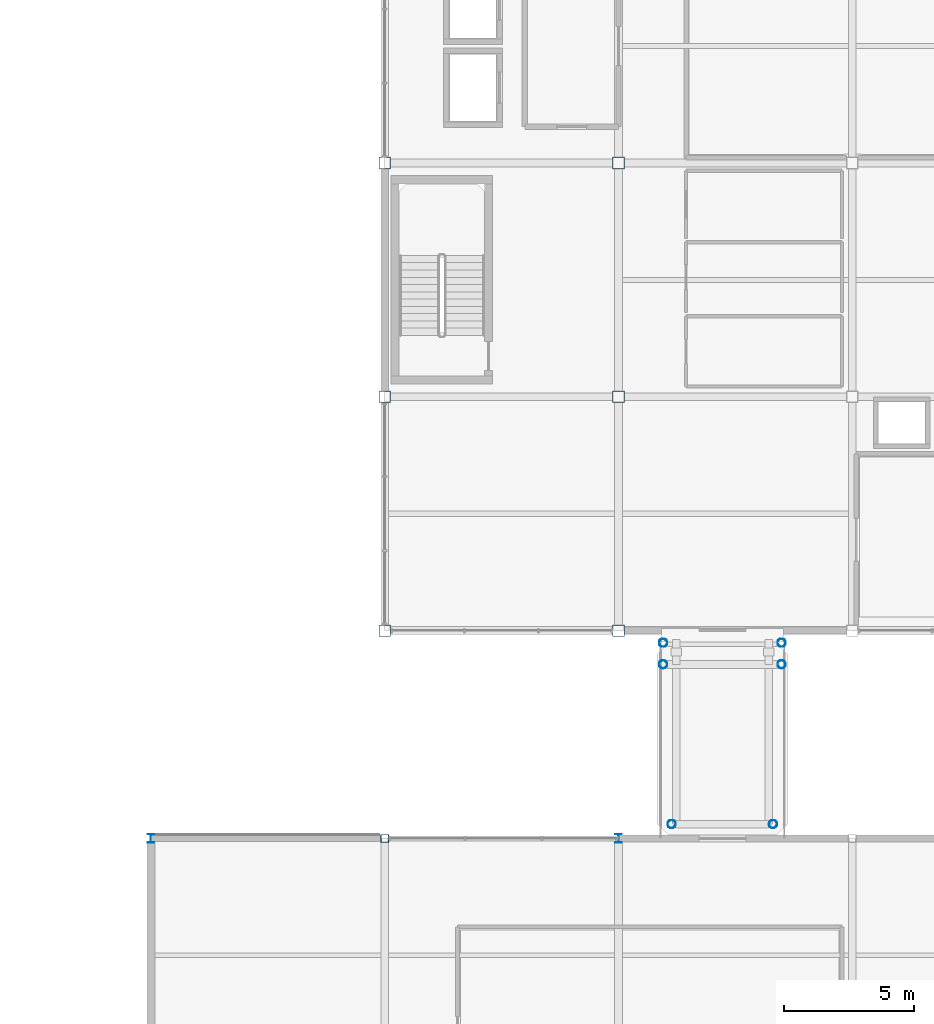
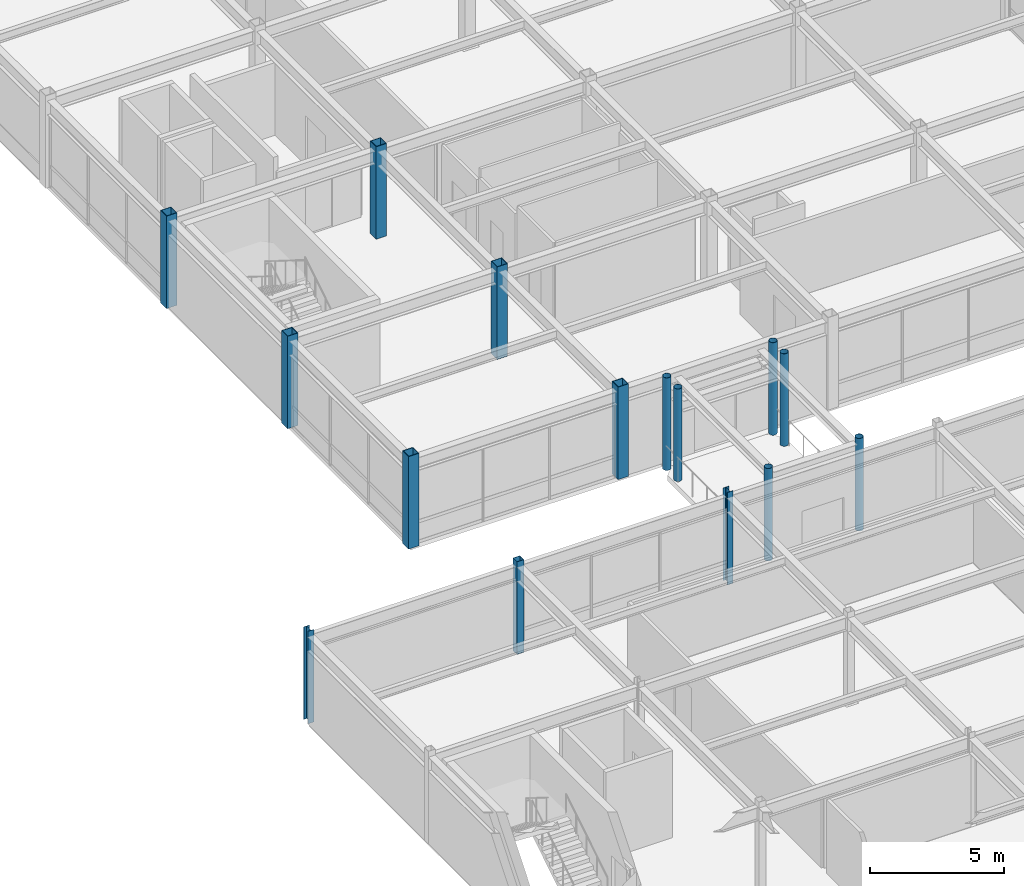
# One storey, part 19 of 108: 15 columns.
"""IFC4 building model written with IfcOpenShell, lengths in metres."""

import ifcopenshell
import ifcopenshell.guid

model = None  # the IFC model being written
_history = None  # IfcOwnerHistory: only IFC2X3 demands one
_inside = {}  # id of a spatial element -> (the spatial element, [elements in it])
_under = {}  # id of a project, library or spatial element -> (it, [spatial elements below it])
_declared = {}  # id of a project -> (the project, [libraries it declares])
_typed = {}  # id of a type object -> (the type object, [elements of that type])
_made_of = {}  # id of a material, layer set ... -> (it, [elements and type objects made of it])


def new_model(schema):
    """Start an empty IFC model of exactly this schema.

    Asked for "IFC4X3", IfcOpenShell would pick the latest addendum, in which some entities
    have other attributes; the version numbers below select the first issue.
    IFC2X3 requires an IfcOwnerHistory on every rooted entity: one is made here for all.
    """
    global model, _history
    if schema == "IFC4X3":
        model = ifcopenshell.file(schema_version=(4, 3, 0, 0))
    else:
        model = ifcopenshell.file(schema=schema)
    _inside.clear()
    _under.clear()
    _declared.clear()
    _typed.clear()
    _made_of.clear()
    _history = None
    if model.schema == "IFC2X3":
        org = make("IfcOrganization", Name="unknown")
        user = make(
            "IfcPersonAndOrganization",
            ThePerson=make("IfcPerson", FamilyName="unknown"),
            TheOrganization=org,
        )
        app = make(
            "IfcApplication",
            ApplicationDeveloper=org,
            Version="unknown",
            ApplicationFullName="unknown",
            ApplicationIdentifier="unknown",
        )
        _history = make(
            "IfcOwnerHistory",
            OwningUser=user,
            OwningApplication=app,
            ChangeAction="ADDED",
            CreationDate=0,
        )
    return model


def make(cls, **values):
    """One entity of the class cls with the attributes given. An attribute that is None is left unset."""
    return model.create_entity(
        cls, **{name: value for name, value in values.items() if value is not None}
    )


def rooted(cls, **values):
    """An entity with a GlobalId (a new one), such as an element, a storey or a relation."""
    return make(cls, GlobalId=ifcopenshell.guid.new(), OwnerHistory=_history, **values)


def si_unit(unit_type, name, prefix=None):
    """IfcSIUnit, for example si_unit("LENGTHUNIT", "METRE", prefix="MILLI")."""
    return make("IfcSIUnit", UnitType=unit_type, Prefix=prefix, Name=name)


def assignment(units):
    """IfcUnitAssignment: the units of a project."""
    return None if units is None else make("IfcUnitAssignment", Units=units)


def point(xyz):
    """IfcCartesianPoint."""
    return None if xyz is None else make("IfcCartesianPoint", Coordinates=xyz)


def direction(xyz):
    """IfcDirection."""
    return None if xyz is None else make("IfcDirection", DirectionRatios=xyz)


def frame(location, z_axis=None, x_axis=None):
    """IfcAxis2Placement3D, a coordinate frame: its origin and axes. An axis left out is left unset."""
    return make(
        "IfcAxis2Placement3D",
        Location=point(location),
        Axis=direction(z_axis),
        RefDirection=direction(x_axis),
    )


def frame_2d(location, x_axis=None):
    """IfcAxis2Placement2D, a coordinate frame in the plane: its origin and x axis."""
    return make(
        "IfcAxis2Placement2D", Location=point(location), RefDirection=direction(x_axis)
    )


def origin():
    """The frame at (0, 0, 0) with its axes left unset."""
    return frame((0.0, 0.0, 0.0))


def origin_2d():
    """The frame at (0, 0) in the plane with its x axis left unset."""
    return frame_2d((0.0, 0.0))


def place(relative_to, where):
    """IfcLocalPlacement: puts the frame where relative to a parent placement (None: the world)."""
    return make(
        "IfcLocalPlacement", PlacementRelTo=relative_to, RelativePlacement=where
    )


def context(
    kind, dimensions, precision=None, world=None, true_north=None, identifier=None
):
    """IfcGeometricRepresentationContext, for example the 3D "Model" context."""
    return make(
        "IfcGeometricRepresentationContext",
        ContextIdentifier=identifier,
        ContextType=kind,
        CoordinateSpaceDimension=dimensions,
        Precision=precision,
        WorldCoordinateSystem=world,
        TrueNorth=true_north,
    )


def subcontext(parent, identifier, kind, view, scale=None):
    """IfcGeometricRepresentationSubContext, for example "Body" below "Model"."""
    return make(
        "IfcGeometricRepresentationSubContext",
        ContextIdentifier=identifier,
        ContextType=kind,
        ParentContext=parent,
        TargetScale=scale,
        TargetView=view,
    )


def project(units=None, contexts=None):
    """IfcProject with its units and contexts."""
    return rooted(
        "IfcProject",
        Name="project",
        RepresentationContexts=contexts,
        UnitsInContext=assignment(units),
    )


def spatial(cls, under=None, at=None, **own):
    """A site, building, storey or space (cls), placed at a placement, below another one or the project."""
    s = rooted(cls, ObjectPlacement=at, **own)
    if under is not None:
        _under.setdefault(under.id(), (under, []))[1].append(s)
    return s


def profile(cls, at=None, kind="AREA", **sizes):
    """A parametric profile (cls). Its sizes go by their IFC names, for example OverallWidth=200.0."""
    return make(cls, ProfileType=kind, Position=at, **sizes)


def hollow_rectangle(**sizes):
    """IfcRectangleHollowProfileDef."""
    return profile("IfcRectangleHollowProfileDef", **sizes)


def hollow_circle(**sizes):
    """IfcCircleHollowProfileDef."""
    return profile("IfcCircleHollowProfileDef", **sizes)


def i_section(**sizes):
    """IfcIShapeProfileDef."""
    return profile("IfcIShapeProfileDef", **sizes)


def extrude(swept, where, along, depth):
    """IfcExtrudedAreaSolid: the profile swept, set in the frame where, extruded along a direction by depth."""
    return make(
        "IfcExtrudedAreaSolid",
        SweptArea=swept,
        Position=where,
        ExtrudedDirection=direction(along),
        Depth=depth,
    )


def shape(context_of_items, identifier, shape_type, items):
    """IfcShapeRepresentation: the items that make up one representation, for example the "Body"."""
    return make(
        "IfcShapeRepresentation",
        ContextOfItems=context_of_items,
        RepresentationIdentifier=identifier,
        RepresentationType=shape_type,
        Items=items,
    )


def material(Name=None, Category=None):
    """IfcMaterial."""
    return make("IfcMaterial", Name=Name, Category=Category)


def material_profile(
    of_material, cross_section, Name=None, Category=None, Priority=None
):
    """IfcMaterialProfile: a cross section and its material."""
    return make(
        "IfcMaterialProfile",
        Name=Name,
        Material=of_material,
        Profile=cross_section,
        Priority=Priority,
        Category=Category,
    )


def profile_set(profiles, Name=None, composite=None):
    """IfcMaterialProfileSet."""
    return make(
        "IfcMaterialProfileSet",
        Name=Name,
        MaterialProfiles=profiles,
        CompositeProfile=composite,
    )


def made_of(thing, what):
    """Note that an element or type object is made of a material, layer set ...; save() writes the relation."""
    if what is not None:
        _made_of.setdefault(what.id(), (what, []))[1].append(thing)
    return thing


def type_object(cls, material=None, **own):
    """A type object (cls), such as IfcWallType, which elements share."""
    return made_of(rooted(cls, **own), material)


def element(
    cls,
    number,
    at=None,
    inside=None,
    cuts=None,
    type_object=None,
    material=None,
    context=None,
    identifier="Body",
    shape_type=None,
    held_by="IfcProductDefinitionShape",
    body=None,
    shapes=None,
    **own,
):
    """One element of the class cls, such as IfcWall. Its Tag is "e" and its number.

    at: its placement. inside: the storey or other place that contains it. cuts: it is an
    opening in that element (IfcRelVoidsElement). A single representation is given by context,
    identifier, shape_type and body (its items); several are given by shapes. held_by: the class
    of the entity that holds the representations. save() writes the other relations.
    """
    e = rooted(cls, Tag="e%d" % number, ObjectPlacement=at, **own)
    if body is not None:
        shapes = [shape(context, identifier, shape_type, body)]
    if shapes is not None:
        e.Representation = make(held_by, Representations=shapes)
    if inside is not None:
        _inside.setdefault(inside.id(), (inside, []))[1].append(e)
    if cuts is not None:
        rooted(
            "IfcRelVoidsElement", RelatingBuildingElement=cuts, RelatedOpeningElement=e
        )
    if type_object is not None:
        _typed.setdefault(type_object.id(), (type_object, []))[1].append(e)
    return made_of(e, material)


def aggregate(whole, parts):
    """IfcRelAggregates: a whole, such as a stair, and the parts it consists of."""
    return rooted("IfcRelAggregates", RelatingObject=whole, RelatedObjects=parts)


def save(model, path):
    """Write the relations noted so far, then the file.

    IfcRelAggregates (storeys below a building ...), IfcRelContainedInSpatialStructure (elements
    in a storey), IfcRelDefinesByType, IfcRelAssociatesMaterial and IfcRelDeclares: one each for
    every whole, place, type object, material and project.
    """
    for whole, parts in _under.values():
        aggregate(whole, parts)
    for where, things in _inside.values():
        rooted(
            "IfcRelContainedInSpatialStructure",
            RelatedElements=things,
            RelatingStructure=where,
        )
    for kind, things in _typed.values():
        rooted("IfcRelDefinesByType", RelatedObjects=things, RelatingType=kind)
    for what, things in _made_of.values():
        rooted("IfcRelAssociatesMaterial", RelatedObjects=things, RelatingMaterial=what)
    for by, libraries in _declared.values():
        rooted("IfcRelDeclares", RelatingContext=by, RelatedDefinitions=libraries)
    model.write(path)


model = new_model("IFC4")

# Units and contexts
model_context = context("Model", 3, precision=1e-05, world=origin(), true_north=direction((0.0, 1.0)))
body_context = subcontext(model_context, "Body", "Model", "MODEL_VIEW")
ifc_project = project(units=[si_unit("LENGTHUNIT", "METRE"), si_unit("AREAUNIT", "SQUARE_METRE"), si_unit("VOLUMEUNIT", "CUBIC_METRE"), si_unit("PLANEANGLEUNIT", "RADIAN"), si_unit("MASSUNIT", "GRAM", prefix="KILO")], contexts=[model_context])

# Site, building, storey
site_placement = place(None, origin())
site = spatial("IfcSite", under=ifc_project, at=site_placement, CompositionType="ELEMENT")
building_placement = place(site_placement, origin())
building = spatial("IfcBuilding", under=site, at=building_placement, Name="Suzunagisa Mobility Hub", CompositionType="ELEMENT")
storey_placement = place(building_placement, frame((0.0, 0.0, 9.300048828125)))
storey = spatial("IfcBuildingStorey", under=building, at=storey_placement, Name="L02", CompositionType="ELEMENT", Elevation=9.300048828125)

# Columns
ifc_material = material(Name="Steel SN490B", Category="steel")
ifc_material_profile_1 = material_profile(ifc_material, i_section(OverallWidth=0.25, OverallDepth=0.340087890625, WebThickness=0.009033203125, FlangeThickness=0.013916015625, FilletRadius=0.010009765625, at=origin_2d()), Name="H-340x250x9x14")
ifc_profile_set_1 = profile_set([ifc_material_profile_1], Name="Steel SN490B")
column_type_1 = type_object("IfcColumnType", Name="Steel Column CL-02 H-340x250x9x14", PredefinedType="COLUMN", material=ifc_profile_set_1)
for number, where, z_axis, x_axis, name in (
    (1, (135.0, 36.0, 0.0), (0.0, 0.0, 1.0), (1.0, 0.0, 0.0), "L02 Column 246"),
    (2, (153.0, 36.0, 0.0), (0.0, 0.0, 1.0), (1.0, 0.0, 0.0), "L02 Column 268"),
):
    element("IfcColumn", number, at=place(storey_placement, frame(where, z_axis=z_axis, x_axis=x_axis)), inside=storey, type_object=column_type_1, Name=name, PredefinedType="COLUMN", context=body_context, shape_type="SweptSolid", body=[
        extrude(i_section(OverallWidth=0.25, OverallDepth=0.340087890625, WebThickness=0.009033203125, FlangeThickness=0.013916015625, FilletRadius=0.010009765625, at=origin_2d()), origin(), (0.0, 0.0, 1.0), 4.199951171875),
    ])
ifc_material_profile_2 = material_profile(ifc_material, hollow_circle(Radius=0.1591796875, WallThickness=0.01025390625, at=origin_2d()), Name="CHS-318.5x10.3")
ifc_profile_set_2 = profile_set([ifc_material_profile_2], Name="Steel SN490B")
column_type_2 = type_object("IfcColumnType", Name="Steel Column CL-09 CHS-318.5x10.3", PredefinedType="COLUMN", material=ifc_profile_set_2)
for number, where, z_axis, x_axis, name in (
    (3, (154.719970703125, 42.699951171875, 0.0), (0.0, 0.0, 1.0), (1.0, 0.0, 0.0), "L02 Column 277"),
    (4, (154.719970703125, 43.530029296875, 0.0), (0.0, 0.0, 1.0), (1.0, 0.0, 0.0), "L02 Column 278"),
    (5, (155.050048828125, 36.550048828125, 0.0), (0.0, 0.0, 1.0), (1.0, 0.0, 0.0), "L02 Column 279"),
    (6, (158.949951171875, 36.550048828125, 0.0), (0.0, 0.0, 1.0), (1.0, 0.0, 0.0), "L02 Column 280"),
    (7, (159.280029296875, 42.699951171875, 0.0), (0.0, 0.0, 1.0), (1.0, 0.0, 0.0), "L02 Column 281"),
    (8, (159.280029296875, 43.530029296875, 0.0), (0.0, 0.0, 1.0), (1.0, 0.0, 0.0), "L02 Column 282"),
):
    element("IfcColumn", number, at=place(storey_placement, frame(where, z_axis=z_axis, x_axis=x_axis)), inside=storey, type_object=column_type_2, Name=name, PredefinedType="COLUMN", context=body_context, shape_type="SweptSolid", body=[
        extrude(hollow_circle(Radius=0.1591796875, WallThickness=0.01025390625, at=origin_2d()), origin(), (0.0, 0.0, 1.0), 4.199951171875),
    ])
ifc_material_profile_3 = material_profile(ifc_material, hollow_rectangle(XDim=0.300048828125, YDim=0.300048828125, WallThickness=0.011962890625, at=origin_2d()), Name="BCR-300x300x12")
ifc_profile_set_3 = profile_set([ifc_material_profile_3], Name="Steel SN490B")
column_type_3 = type_object("IfcColumnType", Name="Steel Column CL-12 BCR-300x300x12", PredefinedType="COLUMN", material=ifc_profile_set_3)
column_placement = place(storey_placement, frame((144.0, 36.0, 0.0), z_axis=(0.0, 0.0, 1.0), x_axis=(1.0, 0.0, 0.0)))
element("IfcColumn", 9, at=column_placement, inside=storey, type_object=column_type_3, Name="L02 Column 255", PredefinedType="COLUMN", context=body_context, shape_type="SweptSolid", body=[
    extrude(hollow_rectangle(XDim=0.300048828125, YDim=0.300048828125, WallThickness=0.011962890625, at=origin_2d()), origin(), (0.0, 0.0, 1.0), 4.199951171875),
])
ifc_material_profile_4 = material_profile(ifc_material, hollow_rectangle(XDim=0.449951171875, YDim=0.449951171875, WallThickness=0.02197265625, at=origin_2d()), Name="BCR-450x450x22")
ifc_profile_set_4 = profile_set([ifc_material_profile_4], Name="Steel SN490B")
column_type_4 = type_object("IfcColumnType", Name="Steel Column CL-17 BCR-450x450x22", PredefinedType="COLUMN", material=ifc_profile_set_4)
for number, where, z_axis, x_axis, name in (
    (10, (144.0, 44.0, 0.0), (0.0, 0.0, 1.0), (1.0, 0.0, 0.0), "L02 Column 256"),
    (11, (144.0, 53.0, 0.0), (0.0, 0.0, 1.0), (1.0, 0.0, 0.0), "L02 Column 257"),
    (12, (144.0, 62.0, 0.0), (0.0, 0.0, 1.0), (1.0, 0.0, 0.0), "L02 Column 258"),
    (13, (153.0, 44.0, 0.0), (0.0, 0.0, 1.0), (1.0, 0.0, 0.0), "L02 Column 269"),
    (14, (153.0, 53.0, 0.0), (0.0, 0.0, 1.0), (1.0, 0.0, 0.0), "L02 Column 270"),
    (15, (153.0, 62.0, 0.0), (0.0, 0.0, 1.0), (1.0, 0.0, 0.0), "L02 Column 271"),
):
    element("IfcColumn", number, at=place(storey_placement, frame(where, z_axis=z_axis, x_axis=x_axis)), inside=storey, type_object=column_type_4, Name=name, PredefinedType="COLUMN", context=body_context, shape_type="SweptSolid", body=[
        extrude(hollow_rectangle(XDim=0.449951171875, YDim=0.449951171875, WallThickness=0.02197265625, at=origin_2d()), origin(), (0.0, 0.0, 1.0), 4.199951171875),
    ])

save(model, "model.ifc")
